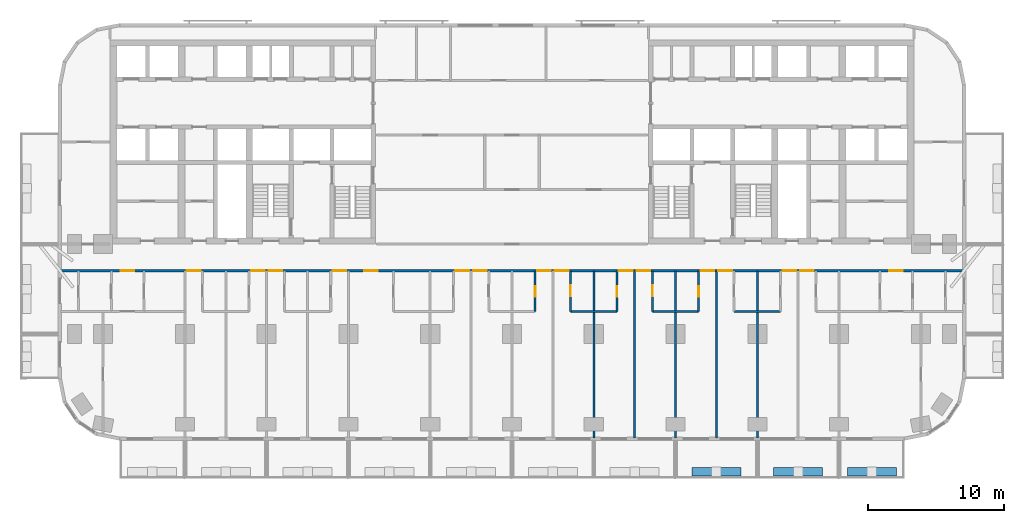
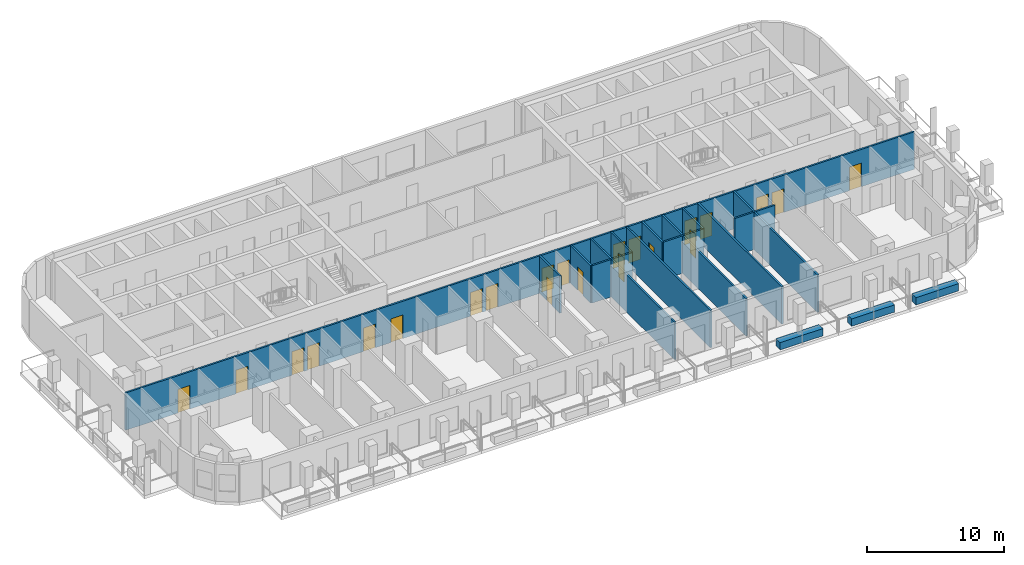
# One storey, part 6 of 15: 22 doors, 17 walls, 22 openings.
"""IFC4 building model written with IfcOpenShell, lengths in metres."""

from ifc_helpers import new_model, si_unit, direction, frame, frame_2d, origin, place, context, subcontext, project, spatial, rectangle, extrude, material, layer, layer_set, type_object, element, fill, save


model = new_model("IFC4")

# Units and contexts
model_context = context("Model", 3, precision=1e-05, world=origin(), true_north=direction((0.0, 1.0)))
body_context = subcontext(model_context, "Body", "Model", "MODEL_VIEW")
ifc_project = project(units=[si_unit("LENGTHUNIT", "METRE"), si_unit("AREAUNIT", "SQUARE_METRE"), si_unit("VOLUMEUNIT", "CUBIC_METRE"), si_unit("PLANEANGLEUNIT", "RADIAN"), si_unit("MASSUNIT", "GRAM", prefix="KILO")], contexts=[model_context])

# Site, building, storey
site_placement = place(None, origin())
site = spatial("IfcSite", under=ifc_project, at=site_placement, CompositionType="ELEMENT")
building_placement = place(site_placement, origin())
building = spatial("IfcBuilding", under=site, at=building_placement, Name="Torana Hotel and Residences", CompositionType="ELEMENT")
storey_placement = place(building_placement, frame((0.0, 0.0, 24.0)))
storey = spatial("IfcBuildingStorey", under=building, at=storey_placement, Name="L04", CompositionType="ELEMENT", Elevation=24.0)

# Wall, openings, doors
ifc_material_1 = material(Name="Gypsum plaster")
ifc_layer_1 = layer(ifc_material_1, 0.014892578125, Name="Plaster", Category="finish")
ifc_material_2 = material(Name="Concrete blockwork", Category="masonry")
ifc_layer_2 = layer(ifc_material_2, 0.1201171875, Name="Blockwork", Category="structure")
ifc_layer_3 = layer(ifc_material_1, 0.014892578125, Name="Plaster", Category="finish")
ifc_layer_set_1 = layer_set([ifc_layer_1, ifc_layer_2, ifc_layer_3], Name="FIRE PARTITION 150 BLOCKWORK")
wall_type_1 = type_object("IfcWallType", Name="FIRE PARTITION 150 BLOCKWORK", PredefinedType="PARTITIONING", material=ifc_layer_set_1)
wall_1_placement = place(storey_placement, frame((-33.1201171875, -16.949951171875, 0.0), z_axis=(0.0, 0.0, 1.0), x_axis=(1.0, 0.0, 0.0)))
wall_1 = element("IfcWall", 1, at=wall_1_placement, inside=storey, type_object=wall_type_1, Name="Partition L04", PredefinedType="PARTITIONING", context=body_context, shape_type="SweptSolid", body=[
    extrude(rectangle(XDim=66.240234375, YDim=0.14990234375, at=frame_2d((33.1201171875, 0.0))), origin(), (0.0, 0.0, 1.0), 3.320068359375),
])
opening_1_placement = place(wall_1_placement, frame((9.27001953125, 0.0, 0.0)))
opening_1 = element("IfcOpeningElement", 2, at=opening_1_placement, cuts=wall_1, Name="Opening L04-40", PredefinedType="OPENING", context=body_context, shape_type="SweptSolid", body=[
    extrude(rectangle(XDim=1.0, YDim=2.10009765625, at=frame_2d((0.5, 1.050048828125))), frame((0.0, 0.0849609375, 0.0), z_axis=(0.0, -1.0, 0.0), x_axis=(1.0, 0.0, 0.0)), (0.0, 0.0, 1.0), 0.169921875),
])
opening_2_placement = place(wall_1_placement, frame((13.969970703125, 0.0, 0.0)))
opening_2 = element("IfcOpeningElement", 3, at=opening_2_placement, cuts=wall_1, Name="Opening L04-41", PredefinedType="OPENING", context=body_context, shape_type="SweptSolid", body=[
    extrude(rectangle(XDim=1.0, YDim=2.10009765625, at=frame_2d((0.5, 1.050048828125))), frame((0.0, 0.0849609375, 0.0), z_axis=(0.0, -1.0, 0.0), x_axis=(1.0, 0.0, 0.0)), (0.0, 0.0, 1.0), 0.169921875),
])
opening_3_placement = place(wall_1_placement, frame((15.27001953125, 0.0, 0.0)))
opening_3 = element("IfcOpeningElement", 4, at=opening_3_placement, cuts=wall_1, Name="Opening L04-42", PredefinedType="OPENING", context=body_context, shape_type="SweptSolid", body=[
    extrude(rectangle(XDim=1.0, YDim=2.10009765625, at=frame_2d((0.5, 1.050048828125))), frame((0.0, 0.0849609375, 0.0), z_axis=(0.0, -1.0, 0.0), x_axis=(1.0, 0.0, 0.0)), (0.0, 0.0, 1.0), 0.169921875),
])
opening_4_placement = place(wall_1_placement, frame((19.969970703125, 0.0, 0.0)))
opening_4 = element("IfcOpeningElement", 5, at=opening_4_placement, cuts=wall_1, Name="Opening L04-43", PredefinedType="OPENING", context=body_context, shape_type="SweptSolid", body=[
    extrude(rectangle(XDim=1.0, YDim=2.10009765625, at=frame_2d((0.5, 1.050048828125))), frame((0.0, 0.0849609375, 0.0), z_axis=(0.0, -1.0, 0.0), x_axis=(1.0, 0.0, 0.0)), (0.0, 0.0, 1.0), 0.169921875),
])
opening_5_placement = place(wall_1_placement, frame((22.27001953125, 0.0, 0.0)))
opening_5 = element("IfcOpeningElement", 6, at=opening_5_placement, cuts=wall_1, Name="Opening L04-44", PredefinedType="OPENING", context=body_context, shape_type="SweptSolid", body=[
    extrude(rectangle(XDim=1.0, YDim=2.10009765625, at=frame_2d((0.5, 1.050048828125))), frame((0.0, 0.0849609375, 0.0), z_axis=(0.0, -1.0, 0.0), x_axis=(1.0, 0.0, 0.0)), (0.0, 0.0, 1.0), 0.169921875),
])
opening_6_placement = place(wall_1_placement, frame((28.969970703125, 0.0, 0.0)))
opening_6 = element("IfcOpeningElement", 7, at=opening_6_placement, cuts=wall_1, Name="Opening L04-45", PredefinedType="OPENING", context=body_context, shape_type="SweptSolid", body=[
    extrude(rectangle(XDim=1.0, YDim=2.10009765625, at=frame_2d((0.5, 1.050048828125))), frame((0.0, 0.0849609375, 0.0), z_axis=(0.0, -1.0, 0.0), x_axis=(1.0, 0.0, 0.0)), (0.0, 0.0, 1.0), 0.169921875),
])
opening_7_placement = place(wall_1_placement, frame((30.27001953125, 0.0, 0.0)))
opening_7 = element("IfcOpeningElement", 8, at=opening_7_placement, cuts=wall_1, Name="Opening L04-46", PredefinedType="OPENING", context=body_context, shape_type="SweptSolid", body=[
    extrude(rectangle(XDim=1.0, YDim=2.10009765625, at=frame_2d((0.5, 1.050048828125))), frame((0.0, 0.0849609375, 0.0), z_axis=(0.0, -1.0, 0.0), x_axis=(1.0, 0.0, 0.0)), (0.0, 0.0, 1.0), 0.169921875),
])
opening_8_placement = place(wall_1_placement, frame((34.969970703125, 0.0, 0.0)))
opening_8 = element("IfcOpeningElement", 9, at=opening_8_placement, cuts=wall_1, Name="Opening L04-47", PredefinedType="OPENING", context=body_context, shape_type="SweptSolid", body=[
    extrude(rectangle(XDim=1.0, YDim=2.10009765625, at=frame_2d((0.5, 1.050048828125))), frame((0.0, 0.0849609375, 0.0), z_axis=(0.0, -1.0, 0.0), x_axis=(1.0, 0.0, 0.0)), (0.0, 0.0, 1.0), 0.169921875),
])
opening_9_placement = place(wall_1_placement, frame((36.27001953125, 0.0, 0.0)))
opening_9 = element("IfcOpeningElement", 10, at=opening_9_placement, cuts=wall_1, Name="Opening L04-48", PredefinedType="OPENING", context=body_context, shape_type="SweptSolid", body=[
    extrude(rectangle(XDim=1.0, YDim=2.10009765625, at=frame_2d((0.5, 1.050048828125))), frame((0.0, 0.0849609375, 0.0), z_axis=(0.0, -1.0, 0.0), x_axis=(1.0, 0.0, 0.0)), (0.0, 0.0, 1.0), 0.169921875),
])
opening_10_placement = place(wall_1_placement, frame((40.969970703125, 0.0, 0.0)))
opening_10 = element("IfcOpeningElement", 11, at=opening_10_placement, cuts=wall_1, Name="Opening L04-49", PredefinedType="OPENING", context=body_context, shape_type="SweptSolid", body=[
    extrude(rectangle(XDim=1.0, YDim=2.10009765625, at=frame_2d((0.5, 1.050048828125))), frame((0.0, 0.0849609375, 0.0), z_axis=(0.0, -1.0, 0.0), x_axis=(1.0, 0.0, 0.0)), (0.0, 0.0, 1.0), 0.169921875),
])
opening_11_placement = place(wall_1_placement, frame((42.27001953125, 0.0, 0.0)))
opening_11 = element("IfcOpeningElement", 12, at=opening_11_placement, cuts=wall_1, Name="Opening L04-50", PredefinedType="OPENING", context=body_context, shape_type="SweptSolid", body=[
    extrude(rectangle(XDim=1.0, YDim=2.10009765625, at=frame_2d((0.5, 1.050048828125))), frame((0.0, 0.0849609375, 0.0), z_axis=(0.0, -1.0, 0.0), x_axis=(1.0, 0.0, 0.0)), (0.0, 0.0, 1.0), 0.169921875),
])
opening_12_placement = place(wall_1_placement, frame((46.969970703125, 0.0, 0.0)))
opening_12 = element("IfcOpeningElement", 13, at=opening_12_placement, cuts=wall_1, Name="Opening L04-51", PredefinedType="OPENING", context=body_context, shape_type="SweptSolid", body=[
    extrude(rectangle(XDim=1.0, YDim=2.10009765625, at=frame_2d((0.5, 1.050048828125))), frame((0.0, 0.0849609375, 0.0), z_axis=(0.0, -1.0, 0.0), x_axis=(1.0, 0.0, 0.0)), (0.0, 0.0, 1.0), 0.169921875),
])
opening_13_placement = place(wall_1_placement, frame((48.27001953125, 0.0, 0.0)))
opening_13 = element("IfcOpeningElement", 14, at=opening_13_placement, cuts=wall_1, Name="Opening L04-52", PredefinedType="OPENING", context=body_context, shape_type="SweptSolid", body=[
    extrude(rectangle(XDim=1.0, YDim=2.10009765625, at=frame_2d((0.5, 1.050048828125))), frame((0.0, 0.0849609375, 0.0), z_axis=(0.0, -1.0, 0.0), x_axis=(1.0, 0.0, 0.0)), (0.0, 0.0, 1.0), 0.169921875),
])
opening_14_placement = place(wall_1_placement, frame((52.969970703125, 0.0, 0.0)))
opening_14 = element("IfcOpeningElement", 15, at=opening_14_placement, cuts=wall_1, Name="Opening L04-53", PredefinedType="OPENING", context=body_context, shape_type="SweptSolid", body=[
    extrude(rectangle(XDim=1.0, YDim=2.10009765625, at=frame_2d((0.5, 1.050048828125))), frame((0.0, 0.0849609375, 0.0), z_axis=(0.0, -1.0, 0.0), x_axis=(1.0, 0.0, 0.0)), (0.0, 0.0, 1.0), 0.169921875),
])
opening_15_placement = place(wall_1_placement, frame((54.27001953125, 0.0, 0.0)))
opening_15 = element("IfcOpeningElement", 16, at=opening_15_placement, cuts=wall_1, Name="Opening L04-54", PredefinedType="OPENING", context=body_context, shape_type="SweptSolid", body=[
    extrude(rectangle(XDim=1.0, YDim=2.10009765625, at=frame_2d((0.5, 1.050048828125))), frame((0.0, 0.0849609375, 0.0), z_axis=(0.0, -1.0, 0.0), x_axis=(1.0, 0.0, 0.0)), (0.0, 0.0, 1.0), 0.169921875),
])
opening_16_placement = place(wall_1_placement, frame((4.39990234375, 0.0, 0.0)))
opening_16 = element("IfcOpeningElement", 17, at=opening_16_placement, cuts=wall_1, Name="Opening L04-55", PredefinedType="OPENING", context=body_context, shape_type="SweptSolid", body=[
    extrude(rectangle(XDim=1.0, YDim=2.10009765625, at=frame_2d((0.5, 1.050048828125))), frame((0.0, 0.0849609375, 0.0), z_axis=(0.0, -1.0, 0.0), x_axis=(1.0, 0.0, 0.0)), (0.0, 0.0, 1.0), 0.169921875),
])
opening_17_placement = place(wall_1_placement, frame((60.800048828125, 0.0, 0.0)))
opening_17 = element("IfcOpeningElement", 18, at=opening_17_placement, cuts=wall_1, Name="Opening L04-56", PredefinedType="OPENING", context=body_context, shape_type="SweptSolid", body=[
    extrude(rectangle(XDim=1.0, YDim=2.10009765625, at=frame_2d((0.5, 1.050048828125))), frame((0.0, 0.0849609375, 0.0), z_axis=(0.0, -1.0, 0.0), x_axis=(1.0, 0.0, 0.0)), (0.0, 0.0, 1.0), 0.169921875),
])
ifc_material_3 = material(Name="Steel S235", Category="steel")
door_type_1 = type_object("IfcDoorType", Name="ENTRY FIRE DOOR D6 1000x2100", OperationType="SINGLE_SWING_LEFT", PredefinedType="DOOR", material=ifc_material_3)
door_1_placement = place(opening_1_placement, frame((0.5, 0.0, 0.0), z_axis=(0.0, 0.0, 1.0), x_axis=(-1.0, 0.0, 0.0)))
door_1 = element("IfcDoor", 19, at=door_1_placement, inside=storey, type_object=door_type_1, Name="Door L04", OperationType="SINGLE_SWING_LEFT", OverallHeight=2.10009765625, OverallWidth=1.0, PredefinedType="DOOR", context=body_context, shape_type="SweptSolid", body=[
    extrude(rectangle(XDim=1.0, YDim=2.10009765625, at=frame_2d((0.0, 1.050048828125))), frame((0.0, -0.02490234375, 0.0), z_axis=(0.0, 1.0, 0.0), x_axis=(-1.0, 0.0, 0.0)), (0.0, 0.0, 1.0), 0.050048828125),
])
fill(opening_1, door_1)
door_2_placement = place(opening_2_placement, frame((0.5, 0.0, 0.0), z_axis=(0.0, 0.0, 1.0), x_axis=(-1.0, 0.0, 0.0)))
door_2 = element("IfcDoor", 20, at=door_2_placement, inside=storey, type_object=door_type_1, Name="Door L04", OperationType="SINGLE_SWING_LEFT", OverallHeight=2.10009765625, OverallWidth=1.0, PredefinedType="DOOR", context=body_context, shape_type="SweptSolid", body=[
    extrude(rectangle(XDim=1.0, YDim=2.10009765625, at=frame_2d((0.0, 1.050048828125))), frame((0.0, -0.02490234375, 0.0), z_axis=(0.0, 1.0, 0.0), x_axis=(-1.0, 0.0, 0.0)), (0.0, 0.0, 1.0), 0.050048828125),
])
fill(opening_2, door_2)
door_3_placement = place(opening_3_placement, frame((0.5, 0.0, 0.0), z_axis=(0.0, 0.0, 1.0), x_axis=(-1.0, 0.0, 0.0)))
door_3 = element("IfcDoor", 21, at=door_3_placement, inside=storey, type_object=door_type_1, Name="Door L04", OperationType="SINGLE_SWING_LEFT", OverallHeight=2.10009765625, OverallWidth=1.0, PredefinedType="DOOR", context=body_context, shape_type="SweptSolid", body=[
    extrude(rectangle(XDim=1.0, YDim=2.10009765625, at=frame_2d((0.0, 1.050048828125))), frame((0.0, -0.02490234375, 0.0), z_axis=(0.0, 1.0, 0.0), x_axis=(-1.0, 0.0, 0.0)), (0.0, 0.0, 1.0), 0.050048828125),
])
fill(opening_3, door_3)
door_4_placement = place(opening_4_placement, frame((0.5, 0.0, 0.0), z_axis=(0.0, 0.0, 1.0), x_axis=(-1.0, 0.0, 0.0)))
door_4 = element("IfcDoor", 22, at=door_4_placement, inside=storey, type_object=door_type_1, Name="Door L04", OperationType="SINGLE_SWING_LEFT", OverallHeight=2.10009765625, OverallWidth=1.0, PredefinedType="DOOR", context=body_context, shape_type="SweptSolid", body=[
    extrude(rectangle(XDim=1.0, YDim=2.10009765625, at=frame_2d((0.0, 1.050048828125))), frame((0.0, -0.02490234375, 0.0), z_axis=(0.0, 1.0, 0.0), x_axis=(-1.0, 0.0, 0.0)), (0.0, 0.0, 1.0), 0.050048828125),
])
fill(opening_4, door_4)
door_5_placement = place(opening_5_placement, frame((0.5, 0.0, 0.0), z_axis=(0.0, 0.0, 1.0), x_axis=(-1.0, 0.0, 0.0)))
door_5 = element("IfcDoor", 23, at=door_5_placement, inside=storey, type_object=door_type_1, Name="Door L04", OperationType="SINGLE_SWING_LEFT", OverallHeight=2.10009765625, OverallWidth=1.0, PredefinedType="DOOR", context=body_context, shape_type="SweptSolid", body=[
    extrude(rectangle(XDim=1.0, YDim=2.10009765625, at=frame_2d((0.0, 1.050048828125))), frame((0.0, -0.02490234375, 0.0), z_axis=(0.0, 1.0, 0.0), x_axis=(-1.0, 0.0, 0.0)), (0.0, 0.0, 1.0), 0.050048828125),
])
fill(opening_5, door_5)
door_6_placement = place(opening_6_placement, frame((0.5, 0.0, 0.0), z_axis=(0.0, 0.0, 1.0), x_axis=(-1.0, 0.0, 0.0)))
door_6 = element("IfcDoor", 24, at=door_6_placement, inside=storey, type_object=door_type_1, Name="Door L04", OperationType="SINGLE_SWING_LEFT", OverallHeight=2.10009765625, OverallWidth=1.0, PredefinedType="DOOR", context=body_context, shape_type="SweptSolid", body=[
    extrude(rectangle(XDim=1.0, YDim=2.10009765625, at=frame_2d((0.0, 1.050048828125))), frame((0.0, -0.02490234375, 0.0), z_axis=(0.0, 1.0, 0.0), x_axis=(-1.0, 0.0, 0.0)), (0.0, 0.0, 1.0), 0.050048828125),
])
fill(opening_6, door_6)
door_7_placement = place(opening_7_placement, frame((0.5, 0.0, 0.0), z_axis=(0.0, 0.0, 1.0), x_axis=(-1.0, 0.0, 0.0)))
door_7 = element("IfcDoor", 25, at=door_7_placement, inside=storey, type_object=door_type_1, Name="Door L04", OperationType="SINGLE_SWING_LEFT", OverallHeight=2.10009765625, OverallWidth=1.0, PredefinedType="DOOR", context=body_context, shape_type="SweptSolid", body=[
    extrude(rectangle(XDim=1.0, YDim=2.10009765625, at=frame_2d((0.0, 1.050048828125))), frame((0.0, -0.02490234375, 0.0), z_axis=(0.0, 1.0, 0.0), x_axis=(-1.0, 0.0, 0.0)), (0.0, 0.0, 1.0), 0.050048828125),
])
fill(opening_7, door_7)
door_8_placement = place(opening_8_placement, frame((0.5, 0.0, 0.0), z_axis=(0.0, 0.0, 1.0), x_axis=(-1.0, 0.0, 0.0)))
door_8 = element("IfcDoor", 26, at=door_8_placement, inside=storey, type_object=door_type_1, Name="Door L04", OperationType="SINGLE_SWING_LEFT", OverallHeight=2.10009765625, OverallWidth=1.0, PredefinedType="DOOR", context=body_context, shape_type="SweptSolid", body=[
    extrude(rectangle(XDim=1.0, YDim=2.10009765625, at=frame_2d((0.0, 1.050048828125))), frame((0.0, -0.02490234375, 0.0), z_axis=(0.0, 1.0, 0.0), x_axis=(-1.0, 0.0, 0.0)), (0.0, 0.0, 1.0), 0.050048828125),
])
fill(opening_8, door_8)
door_9_placement = place(opening_9_placement, frame((0.5, 0.0, 0.0), z_axis=(0.0, 0.0, 1.0), x_axis=(-1.0, 0.0, 0.0)))
door_9 = element("IfcDoor", 27, at=door_9_placement, inside=storey, type_object=door_type_1, Name="Door L04", OperationType="SINGLE_SWING_LEFT", OverallHeight=2.10009765625, OverallWidth=1.0, PredefinedType="DOOR", context=body_context, shape_type="SweptSolid", body=[
    extrude(rectangle(XDim=1.0, YDim=2.10009765625, at=frame_2d((0.0, 1.050048828125))), frame((0.0, -0.02490234375, 0.0), z_axis=(0.0, 1.0, 0.0), x_axis=(-1.0, 0.0, 0.0)), (0.0, 0.0, 1.0), 0.050048828125),
])
fill(opening_9, door_9)
door_10_placement = place(opening_10_placement, frame((0.5, 0.0, 0.0), z_axis=(0.0, 0.0, 1.0), x_axis=(-1.0, 0.0, 0.0)))
door_10 = element("IfcDoor", 28, at=door_10_placement, inside=storey, type_object=door_type_1, Name="Door L04", OperationType="SINGLE_SWING_LEFT", OverallHeight=2.10009765625, OverallWidth=1.0, PredefinedType="DOOR", context=body_context, shape_type="SweptSolid", body=[
    extrude(rectangle(XDim=1.0, YDim=2.10009765625, at=frame_2d((0.0, 1.050048828125))), frame((0.0, -0.02490234375, 0.0), z_axis=(0.0, 1.0, 0.0), x_axis=(-1.0, 0.0, 0.0)), (0.0, 0.0, 1.0), 0.050048828125),
])
fill(opening_10, door_10)
door_11_placement = place(opening_11_placement, frame((0.5, 0.0, 0.0), z_axis=(0.0, 0.0, 1.0), x_axis=(-1.0, 0.0, 0.0)))
door_11 = element("IfcDoor", 29, at=door_11_placement, inside=storey, type_object=door_type_1, Name="Door L04", OperationType="SINGLE_SWING_LEFT", OverallHeight=2.10009765625, OverallWidth=1.0, PredefinedType="DOOR", context=body_context, shape_type="SweptSolid", body=[
    extrude(rectangle(XDim=1.0, YDim=2.10009765625, at=frame_2d((0.0, 1.050048828125))), frame((0.0, -0.02490234375, 0.0), z_axis=(0.0, 1.0, 0.0), x_axis=(-1.0, 0.0, 0.0)), (0.0, 0.0, 1.0), 0.050048828125),
])
fill(opening_11, door_11)
door_12_placement = place(opening_12_placement, frame((0.5, 0.0, 0.0), z_axis=(0.0, 0.0, 1.0), x_axis=(-1.0, 0.0, 0.0)))
door_12 = element("IfcDoor", 30, at=door_12_placement, inside=storey, type_object=door_type_1, Name="Door L04", OperationType="SINGLE_SWING_LEFT", OverallHeight=2.10009765625, OverallWidth=1.0, PredefinedType="DOOR", context=body_context, shape_type="SweptSolid", body=[
    extrude(rectangle(XDim=1.0, YDim=2.10009765625, at=frame_2d((0.0, 1.050048828125))), frame((0.0, -0.02490234375, 0.0), z_axis=(0.0, 1.0, 0.0), x_axis=(-1.0, 0.0, 0.0)), (0.0, 0.0, 1.0), 0.050048828125),
])
fill(opening_12, door_12)
door_13_placement = place(opening_13_placement, frame((0.5, 0.0, 0.0), z_axis=(0.0, 0.0, 1.0), x_axis=(-1.0, 0.0, 0.0)))
door_13 = element("IfcDoor", 31, at=door_13_placement, inside=storey, type_object=door_type_1, Name="Door L04", OperationType="SINGLE_SWING_LEFT", OverallHeight=2.10009765625, OverallWidth=1.0, PredefinedType="DOOR", context=body_context, shape_type="SweptSolid", body=[
    extrude(rectangle(XDim=1.0, YDim=2.10009765625, at=frame_2d((0.0, 1.050048828125))), frame((0.0, -0.02490234375, 0.0), z_axis=(0.0, 1.0, 0.0), x_axis=(-1.0, 0.0, 0.0)), (0.0, 0.0, 1.0), 0.050048828125),
])
fill(opening_13, door_13)
door_14_placement = place(opening_14_placement, frame((0.5, 0.0, 0.0), z_axis=(0.0, 0.0, 1.0), x_axis=(-1.0, 0.0, 0.0)))
door_14 = element("IfcDoor", 32, at=door_14_placement, inside=storey, type_object=door_type_1, Name="Door L04", OperationType="SINGLE_SWING_LEFT", OverallHeight=2.10009765625, OverallWidth=1.0, PredefinedType="DOOR", context=body_context, shape_type="SweptSolid", body=[
    extrude(rectangle(XDim=1.0, YDim=2.10009765625, at=frame_2d((0.0, 1.050048828125))), frame((0.0, -0.02490234375, 0.0), z_axis=(0.0, 1.0, 0.0), x_axis=(-1.0, 0.0, 0.0)), (0.0, 0.0, 1.0), 0.050048828125),
])
fill(opening_14, door_14)
door_15_placement = place(opening_15_placement, frame((0.5, 0.0, 0.0), z_axis=(0.0, 0.0, 1.0), x_axis=(-1.0, 0.0, 0.0)))
door_15 = element("IfcDoor", 33, at=door_15_placement, inside=storey, type_object=door_type_1, Name="Door L04", OperationType="SINGLE_SWING_LEFT", OverallHeight=2.10009765625, OverallWidth=1.0, PredefinedType="DOOR", context=body_context, shape_type="SweptSolid", body=[
    extrude(rectangle(XDim=1.0, YDim=2.10009765625, at=frame_2d((0.0, 1.050048828125))), frame((0.0, -0.02490234375, 0.0), z_axis=(0.0, 1.0, 0.0), x_axis=(-1.0, 0.0, 0.0)), (0.0, 0.0, 1.0), 0.050048828125),
])
fill(opening_15, door_15)
door_16_placement = place(opening_16_placement, origin())
door_16 = element("IfcDoor", 34, at=door_16_placement, inside=storey, type_object=door_type_1, Name="Door L04", OperationType="SINGLE_SWING_RIGHT", OverallHeight=2.10009765625, OverallWidth=1.0, PredefinedType="DOOR", context=body_context, shape_type="SweptSolid", body=[
    extrude(rectangle(XDim=1.0, YDim=2.10009765625, at=frame_2d((0.5, 1.050048828125))), frame((0.0, 0.02490234375, 0.0), z_axis=(0.0, -1.0, 0.0), x_axis=(1.0, 0.0, 0.0)), (0.0, 0.0, 1.0), 0.050048828125),
])
fill(opening_16, door_16)
door_17_placement = place(opening_17_placement, origin())
door_17 = element("IfcDoor", 35, at=door_17_placement, inside=storey, type_object=door_type_1, Name="Door L04", OperationType="SINGLE_SWING_RIGHT", OverallHeight=2.10009765625, OverallWidth=1.0, PredefinedType="DOOR", context=body_context, shape_type="SweptSolid", body=[
    extrude(rectangle(XDim=1.0, YDim=2.10009765625, at=frame_2d((0.5, 1.050048828125))), frame((0.0, 0.02490234375, 0.0), z_axis=(0.0, -1.0, 0.0), x_axis=(1.0, 0.0, 0.0)), (0.0, 0.0, 1.0), 0.050048828125),
])
fill(opening_17, door_17)

# Walls
ifc_material_4 = material(Name="Gypsum plasterboard")
ifc_layer_4 = layer(ifc_material_4, 0.012451171875, Name="Plasterboard", Category="finish")
ifc_layer_5 = layer(ifc_material_4, 0.012451171875, Name="Plasterboard", Category="finish")
ifc_material_5 = material(Name="Steel S280GD", Category="steel")
ifc_layer_6 = layer(ifc_material_5, 0.10009765625, Name="Steel studs with mineral wool", Category="insulation")
ifc_layer_7 = layer(ifc_material_4, 0.012451171875, Name="Plasterboard", Category="finish")
ifc_layer_8 = layer(ifc_material_4, 0.012451171875, Name="Plasterboard", Category="finish")
ifc_layer_set_2 = layer_set([ifc_layer_4, ifc_layer_5, ifc_layer_6, ifc_layer_7, ifc_layer_8], Name="PARTITION 150 PLASTERBOARD")
wall_type_2 = type_object("IfcWallType", Name="PARTITION 150 PLASTERBOARD", PredefinedType="PARTITIONING", material=ifc_layer_set_2)
for number, where, z_axis, x_axis, name in (
    (36, (18.0, -29.219970703125, 0.0), (0.0, 0.0, 1.0), (0.0, 1.0, 0.0), "Partition L04"),
    (37, (15.0, -29.219970703125, 0.0), (0.0, 0.0, 1.0), (0.0, 1.0, 0.0), "Partition L04"),
):
    element("IfcWall", number, at=place(storey_placement, frame(where, z_axis=z_axis, x_axis=x_axis)), inside=storey, type_object=wall_type_2, Name=name, PredefinedType="PARTITIONING", context=body_context, shape_type="SweptSolid", body=[
        extrude(rectangle(XDim=12.27001953125, YDim=0.14990234375, at=frame_2d((6.135009765625, 0.0))), origin(), (0.0, 0.0, 1.0), 3.320068359375),
    ])

# Wall, opening, door
wall_2_placement = place(storey_placement, frame((13.699951171875, -19.949951171875, 0.0), z_axis=(0.0, 0.0, 1.0), x_axis=(0.0, 1.0, 0.0)))
wall_2 = element("IfcWall", 38, at=wall_2_placement, inside=storey, type_object=wall_type_2, Name="Partition L04", PredefinedType="PARTITIONING", context=body_context, shape_type="SweptSolid", body=[
    extrude(rectangle(XDim=3.0, YDim=0.14990234375, at=frame_2d((1.5, 0.0))), origin(), (0.0, 0.0, 1.0), 3.320068359375),
])
opening_18_placement = place(wall_2_placement, frame((1.080078125, 0.0, 0.0)))
opening_18 = element("IfcOpeningElement", 39, at=opening_18_placement, cuts=wall_2, Name="Opening L04-78", PredefinedType="OPENING", context=body_context, shape_type="SweptSolid", body=[
    extrude(rectangle(XDim=0.800048828125, YDim=2.10009765625, at=frame_2d((0.39990234375, 1.050048828125))), frame((0.0, 0.0849609375, 0.0), z_axis=(0.0, -1.0, 0.0), x_axis=(1.0, 0.0, 0.0)), (0.0, 0.0, 1.0), 0.169921875),
])
ifc_material_6 = material(Name="Timber door, painted", Category="wood")
door_type_2 = type_object("IfcDoorType", Name="BATH DOOR D13 800x2100", OperationType="SINGLE_SWING_LEFT", PredefinedType="DOOR", material=ifc_material_6)
door_18_placement = place(opening_18_placement, origin())
door_18 = element("IfcDoor", 40, at=door_18_placement, inside=storey, type_object=door_type_2, Name="Door L04", OperationType="SINGLE_SWING_RIGHT", OverallHeight=2.10009765625, OverallWidth=0.800048828125, PredefinedType="DOOR", context=body_context, shape_type="SweptSolid", body=[
    extrude(rectangle(XDim=0.800048828125, YDim=2.10009765625, at=frame_2d((0.39990234375, 1.050048828125))), frame((0.0, 0.02490234375, 0.0), z_axis=(0.0, -1.0, 0.0), x_axis=(1.0, 0.0, 0.0)), (0.0, 0.0, 1.0), 0.050048828125),
])
fill(opening_18, door_18)

# Wall
wall_3_placement = place(storey_placement, frame((12.0, -29.219970703125, 0.0), z_axis=(0.0, 0.0, 1.0), x_axis=(0.0, 1.0, 0.0)))
element("IfcWall", 41, at=wall_3_placement, inside=storey, type_object=wall_type_2, Name="Partition L04", PredefinedType="PARTITIONING", context=body_context, shape_type="SweptSolid", body=[
    extrude(rectangle(XDim=12.27001953125, YDim=0.14990234375, at=frame_2d((6.135009765625, 0.0))), origin(), (0.0, 0.0, 1.0), 3.320068359375),
])

# Wall, opening, door
wall_4_placement = place(storey_placement, frame((10.300048828125, -19.949951171875, 0.0), z_axis=(0.0, 0.0, 1.0), x_axis=(0.0, 1.0, 0.0)))
wall_4 = element("IfcWall", 42, at=wall_4_placement, inside=storey, type_object=wall_type_2, Name="Partition L04", PredefinedType="PARTITIONING", context=body_context, shape_type="SweptSolid", body=[
    extrude(rectangle(XDim=3.0, YDim=0.14990234375, at=frame_2d((1.5, 0.0))), origin(), (0.0, 0.0, 1.0), 3.320068359375),
])
opening_19_placement = place(wall_4_placement, frame((1.1201171875, 0.0, 0.0)))
opening_19 = element("IfcOpeningElement", 43, at=opening_19_placement, cuts=wall_4, Name="Opening L04-77", PredefinedType="OPENING", context=body_context, shape_type="SweptSolid", body=[
    extrude(rectangle(XDim=0.800048828125, YDim=2.10009765625, at=frame_2d((0.39990234375, 1.050048828125))), frame((0.0, 0.0849609375, 0.0), z_axis=(0.0, -1.0, 0.0), x_axis=(1.0, 0.0, 0.0)), (0.0, 0.0, 1.0), 0.169921875),
])
door_19_placement = place(opening_19_placement, origin())
door_19 = element("IfcDoor", 44, at=door_19_placement, inside=storey, type_object=door_type_2, Name="Door L04", OperationType="SINGLE_SWING_LEFT", OverallHeight=2.10009765625, OverallWidth=0.800048828125, PredefinedType="DOOR", context=body_context, shape_type="SweptSolid", body=[
    extrude(rectangle(XDim=0.800048828125, YDim=2.10009765625, at=frame_2d((0.39990234375, 1.050048828125))), frame((0.0, 0.02490234375, 0.0), z_axis=(0.0, -1.0, 0.0), x_axis=(1.0, 0.0, 0.0)), (0.0, 0.0, 1.0), 0.050048828125),
])
fill(opening_19, door_19)

# Wall
wall_5_placement = place(storey_placement, frame((9.0, -29.219970703125, 0.0), z_axis=(0.0, 0.0, 1.0), x_axis=(0.0, 1.0, 0.0)))
element("IfcWall", 45, at=wall_5_placement, inside=storey, type_object=wall_type_2, Name="Partition L04", PredefinedType="PARTITIONING", context=body_context, shape_type="SweptSolid", body=[
    extrude(rectangle(XDim=12.27001953125, YDim=0.14990234375, at=frame_2d((6.135009765625, 0.0))), origin(), (0.0, 0.0, 1.0), 3.320068359375),
])

# Wall, opening, door
wall_6_placement = place(storey_placement, frame((7.699951171875, -19.949951171875, 0.0), z_axis=(0.0, 0.0, 1.0), x_axis=(0.0, 1.0, 0.0)))
wall_6 = element("IfcWall", 46, at=wall_6_placement, inside=storey, type_object=wall_type_2, Name="Partition L04", PredefinedType="PARTITIONING", context=body_context, shape_type="SweptSolid", body=[
    extrude(rectangle(XDim=3.0, YDim=0.14990234375, at=frame_2d((1.5, 0.0))), origin(), (0.0, 0.0, 1.0), 3.320068359375),
])
opening_20_placement = place(wall_6_placement, frame((1.080078125, 0.0, 0.0)))
opening_20 = element("IfcOpeningElement", 47, at=opening_20_placement, cuts=wall_6, Name="Opening L04-76", PredefinedType="OPENING", context=body_context, shape_type="SweptSolid", body=[
    extrude(rectangle(XDim=0.800048828125, YDim=2.10009765625, at=frame_2d((0.39990234375, 1.050048828125))), frame((0.0, 0.0849609375, 0.0), z_axis=(0.0, -1.0, 0.0), x_axis=(1.0, 0.0, 0.0)), (0.0, 0.0, 1.0), 0.169921875),
])
door_20_placement = place(opening_20_placement, origin())
door_20 = element("IfcDoor", 48, at=door_20_placement, inside=storey, type_object=door_type_2, Name="Door L04", OperationType="SINGLE_SWING_RIGHT", OverallHeight=2.10009765625, OverallWidth=0.800048828125, PredefinedType="DOOR", context=body_context, shape_type="SweptSolid", body=[
    extrude(rectangle(XDim=0.800048828125, YDim=2.10009765625, at=frame_2d((0.39990234375, 1.050048828125))), frame((0.0, 0.02490234375, 0.0), z_axis=(0.0, -1.0, 0.0), x_axis=(1.0, 0.0, 0.0)), (0.0, 0.0, 1.0), 0.050048828125),
])
fill(opening_20, door_20)

# Wall
wall_7_placement = place(storey_placement, frame((6.0, -29.219970703125, 0.0), z_axis=(0.0, 0.0, 1.0), x_axis=(0.0, 1.0, 0.0)))
element("IfcWall", 49, at=wall_7_placement, inside=storey, type_object=wall_type_2, Name="Partition L04", PredefinedType="PARTITIONING", context=body_context, shape_type="SweptSolid", body=[
    extrude(rectangle(XDim=12.27001953125, YDim=0.14990234375, at=frame_2d((6.135009765625, 0.0))), origin(), (0.0, 0.0, 1.0), 3.320068359375),
])

# Wall, opening, door
wall_8_placement = place(storey_placement, frame((4.300048828125, -19.949951171875, 0.0), z_axis=(0.0, 0.0, 1.0), x_axis=(0.0, 1.0, 0.0)))
wall_8 = element("IfcWall", 50, at=wall_8_placement, inside=storey, type_object=wall_type_2, Name="Partition L04", PredefinedType="PARTITIONING", context=body_context, shape_type="SweptSolid", body=[
    extrude(rectangle(XDim=3.0, YDim=0.14990234375, at=frame_2d((1.5, 0.0))), origin(), (0.0, 0.0, 1.0), 3.320068359375),
])
opening_21_placement = place(wall_8_placement, frame((1.1201171875, 0.0, 0.0)))
opening_21 = element("IfcOpeningElement", 51, at=opening_21_placement, cuts=wall_8, Name="Opening L04-75", PredefinedType="OPENING", context=body_context, shape_type="SweptSolid", body=[
    extrude(rectangle(XDim=0.800048828125, YDim=2.10009765625, at=frame_2d((0.39990234375, 1.050048828125))), frame((0.0, 0.0849609375, 0.0), z_axis=(0.0, -1.0, 0.0), x_axis=(1.0, 0.0, 0.0)), (0.0, 0.0, 1.0), 0.169921875),
])
door_21_placement = place(opening_21_placement, origin())
door_21 = element("IfcDoor", 52, at=door_21_placement, inside=storey, type_object=door_type_2, Name="Door L04", OperationType="SINGLE_SWING_LEFT", OverallHeight=2.10009765625, OverallWidth=0.800048828125, PredefinedType="DOOR", context=body_context, shape_type="SweptSolid", body=[
    extrude(rectangle(XDim=0.800048828125, YDim=2.10009765625, at=frame_2d((0.39990234375, 1.050048828125))), frame((0.0, 0.02490234375, 0.0), z_axis=(0.0, -1.0, 0.0), x_axis=(1.0, 0.0, 0.0)), (0.0, 0.0, 1.0), 0.050048828125),
])
fill(opening_21, door_21)

wall_9_placement = place(storey_placement, frame((1.699951171875, -19.949951171875, 0.0), z_axis=(0.0, 0.0, 1.0), x_axis=(0.0, 1.0, 0.0)))
wall_9 = element("IfcWall", 53, at=wall_9_placement, inside=storey, type_object=wall_type_2, Name="Partition L04", PredefinedType="PARTITIONING", context=body_context, shape_type="SweptSolid", body=[
    extrude(rectangle(XDim=3.0, YDim=0.14990234375, at=frame_2d((1.5, 0.0))), origin(), (0.0, 0.0, 1.0), 3.320068359375),
])
opening_22_placement = place(wall_9_placement, frame((1.080078125, 0.0, 0.0)))
opening_22 = element("IfcOpeningElement", 54, at=opening_22_placement, cuts=wall_9, Name="Opening L04-74", PredefinedType="OPENING", context=body_context, shape_type="SweptSolid", body=[
    extrude(rectangle(XDim=0.800048828125, YDim=2.10009765625, at=frame_2d((0.39990234375, 1.050048828125))), frame((0.0, 0.0849609375, 0.0), z_axis=(0.0, -1.0, 0.0), x_axis=(1.0, 0.0, 0.0)), (0.0, 0.0, 1.0), 0.169921875),
])
door_22_placement = place(opening_22_placement, origin())
door_22 = element("IfcDoor", 55, at=door_22_placement, inside=storey, type_object=door_type_2, Name="Door L04", OperationType="SINGLE_SWING_RIGHT", OverallHeight=2.10009765625, OverallWidth=0.800048828125, PredefinedType="DOOR", context=body_context, shape_type="SweptSolid", body=[
    extrude(rectangle(XDim=0.800048828125, YDim=2.10009765625, at=frame_2d((0.39990234375, 1.050048828125))), frame((0.0, 0.02490234375, 0.0), z_axis=(0.0, -1.0, 0.0), x_axis=(1.0, 0.0, 0.0)), (0.0, 0.0, 1.0), 0.050048828125),
])
fill(opening_22, door_22)

# Walls
for number, where, z_axis, x_axis, name in (
    (56, (4.300048828125, -19.949951171875, 0.0), (0.0, 0.0, 1.0), (1.0, 0.0, 0.0), "Partition L04"),
    (57, (10.300048828125, -19.949951171875, 0.0), (0.0, 0.0, 1.0), (1.0, 0.0, 0.0), "Partition L04"),
    (58, (16.300048828125, -19.949951171875, 0.0), (0.0, 0.0, 1.0), (1.0, 0.0, 0.0), "Partition L04"),
):
    element("IfcWall", number, at=place(storey_placement, frame(where, z_axis=z_axis, x_axis=x_axis)), inside=storey, type_object=wall_type_2, Name=name, PredefinedType="PARTITIONING", context=body_context, shape_type="SweptSolid", body=[
        extrude(rectangle(XDim=3.39990234375, YDim=0.14990234375, at=frame_2d((1.699951171875, 0.0))), origin(), (0.0, 0.0, 1.0), 3.320068359375),
    ])
ifc_material_7 = material(Name="Concrete C40/50 precast", Category="concrete")
ifc_layer_9 = layer(ifc_material_7, 0.10009765625, Name="Planter shell", Category="structure")
ifc_material_8 = material(Name="Root resistant membrane")
ifc_layer_10 = layer(ifc_material_8, 0.00390625, Name="Waterproofing membrane", Category="membrane")
ifc_material_9 = material(Name="Drainage board with filter fleece")
ifc_layer_11 = layer(ifc_material_9, 0.02001953125, Name="Drainage board", Category="drainage")
ifc_material_10 = material(Name="Growing medium")
ifc_layer_12 = layer(ifc_material_10, 0.47607421875, Name="Planting substrate", Category="soil")
ifc_layer_set_3 = layer_set([ifc_layer_9, ifc_layer_10, ifc_layer_11, ifc_layer_12], Name="PL1 BALCONY PLANTER 600")
wall_type_3 = type_object("IfcWallType", Name="PL1 BALCONY PLANTER 600", PredefinedType="USERDEFINED", material=ifc_layer_set_3)
for number, where, z_axis, x_axis, name in (
    (59, (16.800048828125, -31.699951171875, 0.0), (0.0, 0.0, 1.0), (-1.0, 0.0, 0.0), "Planter 08"),
    (60, (22.800048828125, -31.699951171875, 0.0), (0.0, 0.0, 1.0), (-1.0, 0.0, 0.0), "Planter 09"),
):
    element("IfcWall", number, at=place(storey_placement, frame(where, z_axis=z_axis, x_axis=x_axis)), inside=storey, type_object=wall_type_3, Name=name, ObjectType="PLANTER", PredefinedType="USERDEFINED", context=body_context, shape_type="SweptSolid", body=[
        extrude(rectangle(XDim=3.60009765625, YDim=0.60009765625, at=frame_2d((1.800048828125, 0.0))), origin(), (0.0, 0.0, 1.0), 0.64990234375),
    ])
wall_10_placement = place(storey_placement, frame((28.199951171875, -31.699951171875, 0.0), z_axis=(0.0, 0.0, 1.0), x_axis=(-1.0, 0.0, 0.0)))
element("IfcWall", 61, at=wall_10_placement, inside=storey, type_object=wall_type_3, Name="Planter 10", ObjectType="PLANTER", PredefinedType="USERDEFINED", context=body_context, shape_type="SweptSolid", body=[
    extrude(rectangle(XDim=3.599853515625, YDim=0.60009765625, at=frame_2d((1.7998046875, 0.0))), origin(), (0.0, 0.0, 1.0), 0.64990234375),
])

save(model, "model.ifc")
